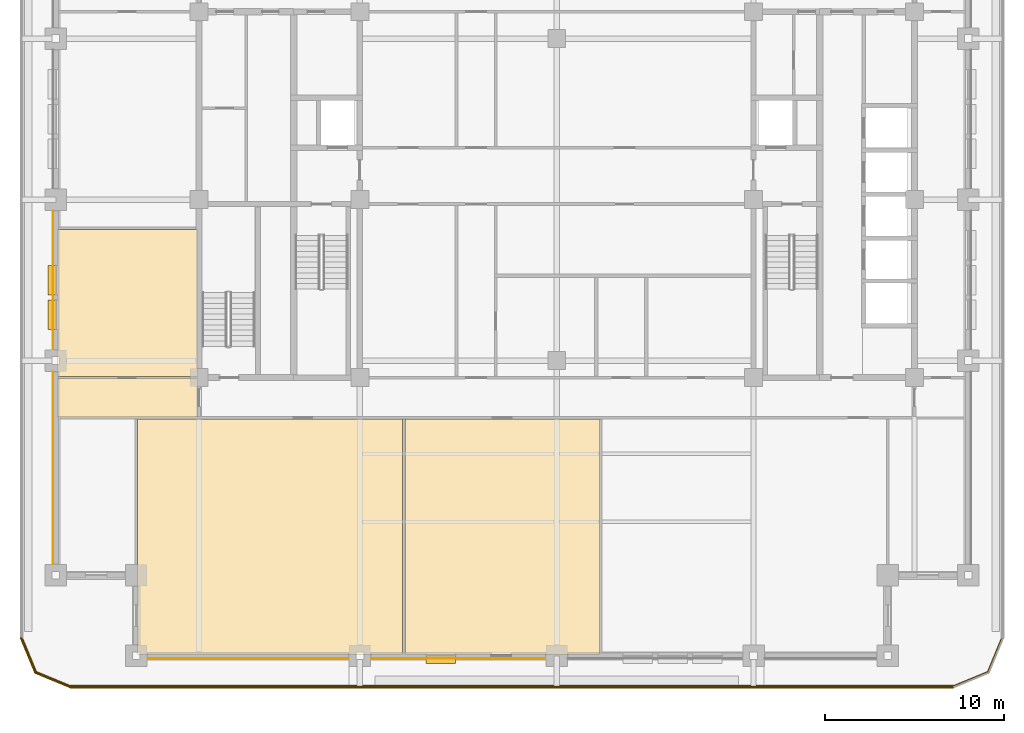
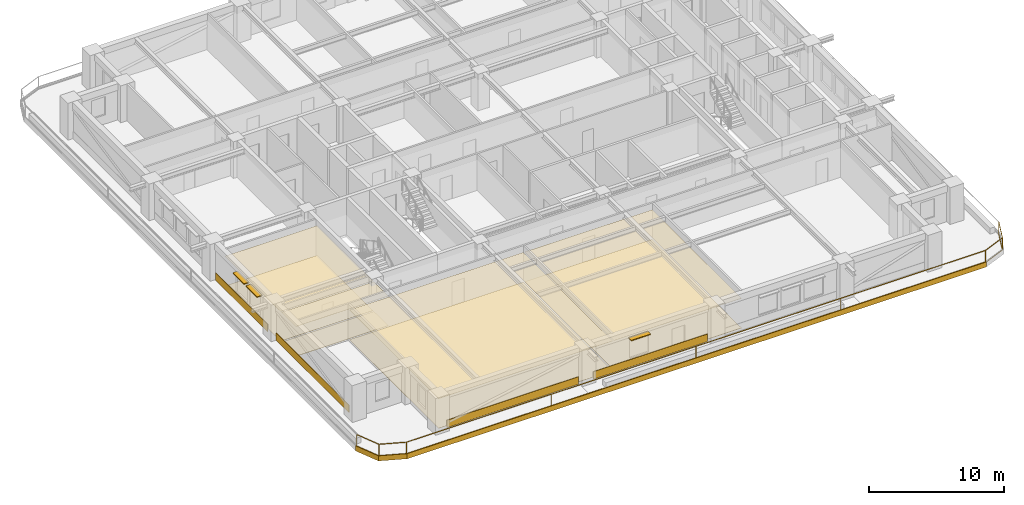
# One storey, part 8 of 15: 15 coverings, 3 shading devices, 1 railing.
"""IFC4 building model written with IfcOpenShell, lengths in metres."""

from ifc_helpers import new_model, si_unit, direction, frame, frame_2d, origin, origin_2d, place, context, subcontext, project, spatial, polyline, rectangle, outline, extrude, material, layer, layer_set, type_object, element, save


model = new_model("IFC4")

# Units and contexts
model_context = context("Model", 3, precision=1e-05, world=origin(), true_north=direction((0.0, 1.0)))
body_context = subcontext(model_context, "Body", "Model", "MODEL_VIEW")
ifc_project = project(units=[si_unit("LENGTHUNIT", "METRE"), si_unit("AREAUNIT", "SQUARE_METRE"), si_unit("VOLUMEUNIT", "CUBIC_METRE"), si_unit("PLANEANGLEUNIT", "RADIAN"), si_unit("MASSUNIT", "GRAM", prefix="KILO")], contexts=[model_context])

# Site, building, storey
site_placement = place(None, origin())
site = spatial("IfcSite", under=ifc_project, at=site_placement, CompositionType="ELEMENT")
building_placement = place(site_placement, origin())
building = spatial("IfcBuilding", under=site, at=building_placement, Name="Zulmaris Gate Convention Tower", CompositionType="ELEMENT")
storey_placement = place(building_placement, frame((0.0, 0.0, 128.48974609375)))
storey = spatial("IfcBuildingStorey", under=building, at=storey_placement, Name="L32", CompositionType="ELEMENT", Elevation=128.48974609375)

# Coverings
ifc_material_1 = material(Name="Precast concrete C40/50", Category="concrete")
ifc_layer_1 = layer(ifc_material_1, 0.0400390625, Name="Precast concrete C40/50")
ifc_layer_set_1 = layer_set([ifc_layer_1], Name="Precast concrete C40/50")
covering_type_1 = type_object("IfcCoveringType", Name="CLAD-SPANDREL-PRECAST", PredefinedType="CLADDING", material=ifc_layer_set_1)
covering_1_placement = place(storey_placement, frame((-22.8701171875, -25.64990234375, 0.0), z_axis=(0.0, 0.0, 1.0), x_axis=(1.0, 0.0, 0.0)))
element("IfcCovering", 1, at=covering_1_placement, inside=storey, type_object=covering_type_1, Name="CLD-L32-S-0_0", PredefinedType="CLADDING", context=body_context, shape_type="SweptSolid", body=[
    extrude(rectangle(XDim=11.240234375, YDim=0.0400390625, at=frame_2d((5.6201171875, 0.0))), origin(), (0.0, 0.0, 1.0), 0.679931640625),
])
covering_2_placement = place(storey_placement, frame((-10.3701171875, -25.64990234375, 0.0), z_axis=(0.0, 0.0, 1.0), x_axis=(1.0, 0.0, 0.0)))
element("IfcCovering", 2, at=covering_2_placement, inside=storey, type_object=covering_type_1, Name="CLD-L32-S-1_0", PredefinedType="CLADDING", context=body_context, shape_type="SweptSolid", body=[
    extrude(rectangle(XDim=9.740234375, YDim=0.0400390625, at=frame_2d((4.8701171875, 0.0))), origin(), (0.0, 0.0, 1.0), 0.679931640625),
])
covering_3_placement = place(storey_placement, frame((-28.14990234375, -9.6298828125, 0.0), z_axis=(0.0, 0.0, 1.0), x_axis=(0.0, -1.0, 0.0)))
element("IfcCovering", 3, at=covering_3_placement, inside=storey, type_object=covering_type_1, Name="CLD-L32-W-0_0", PredefinedType="CLADDING", context=body_context, shape_type="SweptSolid", body=[
    extrude(rectangle(XDim=10.740234375, YDim=0.0400390625, at=frame_2d((5.3701171875, 0.0))), origin(), (0.0, 0.0, 1.0), 0.679931640625),
])
covering_4_placement = place(storey_placement, frame((-28.14990234375, -0.6298828125, 0.0), z_axis=(0.0, 0.0, 1.0), x_axis=(0.0, -1.0, 0.0)))
element("IfcCovering", 4, at=covering_4_placement, inside=storey, type_object=covering_type_1, Name="CLD-L32-W-1_0", PredefinedType="CLADDING", context=body_context, shape_type="SweptSolid", body=[
    extrude(rectangle(XDim=7.740234375, YDim=0.0400390625, at=frame_2d((3.8701171875, 0.0))), origin(), (0.0, 0.0, 1.0), 0.679931640625),
])
ifc_material_2 = material(Name="White Glazed Architectural Precast Concrete C40/50", Category="concrete")
ifc_layer_2 = layer(ifc_material_2, 0.080078125, Name="White Glazed Architectural Precast Concrete C40/50")
ifc_layer_set_2 = layer_set([ifc_layer_2], Name="White Glazed Architectural Precast Concrete C40/50")
covering_type_2 = type_object("IfcCoveringType", Name="CLAD-TRAY-FASCIA", PredefinedType="CLADDING", material=ifc_layer_set_2)
covering_5_placement = place(storey_placement, frame((-29.962890625, -24.484619140625, -0.2900390625), z_axis=(0.0, 0.0, 1.0), x_axis=(0.382656984709, -0.923890487046, 0.0)))
element("IfcCovering", 5, at=covering_5_placement, inside=storey, type_object=covering_type_2, Name="FSC-L32-TR-00", PredefinedType="CLADDING", context=body_context, shape_type="SweptSolid", body=[
    extrude(rectangle(XDim=2.14306640625, YDim=0.080078125, at=frame_2d((1.071533203125, 0.0))), origin(), (0.0, 0.0, 1.0), 0.4599609375),
])
covering_6_placement = place(storey_placement, frame((-29.16455078125, -26.44287109375, -0.2900390625), z_axis=(0.0, 0.0, 1.0), x_axis=(0.923873803533, -0.382697263049, 0.0)))
element("IfcCovering", 6, at=covering_6_placement, inside=storey, type_object=covering_type_2, Name="FSC-L32-TR-01", PredefinedType="CLADDING", context=body_context, shape_type="SweptSolid", body=[
    extrude(rectangle(XDim=2.142822265625, YDim=0.080078125, at=frame_2d((1.0712890625, 0.0))), origin(), (0.0, 0.0, 1.0), 0.4599609375),
])
covering_7_placement = place(storey_placement, frame((-27.199951171875, -27.260009765625, -0.2900390625), z_axis=(0.0, 0.0, 1.0), x_axis=(1.0, 0.0, 0.0)))
element("IfcCovering", 7, at=covering_7_placement, inside=storey, type_object=covering_type_2, Name="FSC-L32-TR-02", PredefinedType="CLADDING", context=body_context, shape_type="SweptSolid", body=[
    extrude(rectangle(XDim=49.39990234375, YDim=0.080078125, at=frame_2d((24.699951171875, 0.0))), origin(), (0.0, 0.0, 1.0), 0.4599609375),
])
ifc_material_3 = material(Name="Mineral Fibre Acoustic Ceiling Tile")
ifc_layer_3 = layer(ifc_material_3, 0.02001953125, Name="Mineral Fibre Acoustic Ceiling Tile")
ifc_layer_set_3 = layer_set([ifc_layer_3], Name="Mineral Fibre Acoustic Ceiling Tile")
covering_type_3 = type_object("IfcCoveringType", Name="CLG-ACOUSTIC-600", PredefinedType="CEILING", material=ifc_layer_set_3)
covering_8_placement = place(storey_placement, frame((0.0, 0.0, 2.68017578125)))
element("IfcCovering", 8, at=covering_8_placement, inside=storey, type_object=covering_type_3, Name="CLG-L32-R38", PredefinedType="CEILING", context=body_context, shape_type="SweptSolid", body=[
    extrude(outline(polyline([(-23.43994140625, -25.43994140625), (-8.610107421875, -25.43994140625), (-8.610107421875, -12.260009765625), (-23.43994140625, -12.260009765625), (-23.43994140625, -25.43994140625)])), origin(), (0.0, 0.0, 1.0), 0.019775390625),
])
covering_9_placement = place(storey_placement, frame((0.0, 0.0, 2.68017578125)))
element("IfcCovering", 9, at=covering_9_placement, inside=storey, type_object=covering_type_3, Name="CLG-L32-R39", PredefinedType="CEILING", context=body_context, shape_type="SweptSolid", body=[
    extrude(outline(polyline([(-8.489990234375, -25.43994140625), (2.389892578125, -25.43994140625), (2.389892578125, -12.260009765625), (-8.489990234375, -12.260009765625), (-8.489990234375, -25.43994140625)])), origin(), (0.0, 0.0, 1.0), 0.019775390625),
])
covering_10_placement = place(storey_placement, frame((0.0, 0.0, 2.68017578125)))
element("IfcCovering", 10, at=covering_10_placement, inside=storey, type_object=covering_type_3, Name="CLG-L32-R49", PredefinedType="CEILING", context=body_context, shape_type="SweptSolid", body=[
    extrude(outline(polyline([(-27.93994140625, -12.139892578125), (-20.06005859375, -12.139892578125), (-20.06005859375, -10.010009765625), (-27.93994140625, -10.010009765625), (-27.93994140625, -12.139892578125)])), origin(), (0.0, 0.0, 1.0), 0.019775390625),
])
covering_11_placement = place(storey_placement, frame((0.0, 0.0, 2.68017578125)))
element("IfcCovering", 11, at=covering_11_placement, inside=storey, type_object=covering_type_3, Name="CLG-L32-R51", PredefinedType="CEILING", context=body_context, shape_type="SweptSolid", body=[
    extrude(outline(polyline([(-27.93994140625, -9.889892578125), (-20.06005859375, -9.889892578125), (-20.06005859375, -1.659912109375), (-27.93994140625, -1.659912109375), (-27.93994140625, -9.889892578125)])), origin(), (0.0, 0.0, 1.0), 0.019775390625),
])
ifc_material_4 = material(Name="Woven Acoustic Wool Carpet Tile")
ifc_layer_4 = layer(ifc_material_4, 0.02001953125, Name="Woven Acoustic Wool Carpet Tile")
ifc_layer_set_4 = layer_set([ifc_layer_4], Name="Woven Acoustic Wool Carpet Tile")
covering_type_4 = type_object("IfcCoveringType", Name="FLR-CARPET-12", PredefinedType="FLOORING", material=ifc_layer_set_4)
covering_12_placement = place(storey_placement, origin())
element("IfcCovering", 12, at=covering_12_placement, inside=storey, type_object=covering_type_4, Name="FLR-L32-R39", PredefinedType="FLOORING", context=body_context, shape_type="SweptSolid", body=[
    extrude(outline(polyline([(-8.489990234375, -25.43994140625), (2.389892578125, -25.43994140625), (2.389892578125, -12.260009765625), (-8.489990234375, -12.260009765625), (-8.489990234375, -25.43994140625)])), origin(), (0.0, 0.0, 1.0), 0.02001953125),
])
covering_13_placement = place(storey_placement, origin())
element("IfcCovering", 13, at=covering_13_placement, inside=storey, type_object=covering_type_4, Name="FLR-L32-R49", PredefinedType="FLOORING", context=body_context, shape_type="SweptSolid", body=[
    extrude(outline(polyline([(-27.93994140625, -12.139892578125), (-20.06005859375, -12.139892578125), (-20.06005859375, -10.010009765625), (-27.93994140625, -10.010009765625), (-27.93994140625, -12.139892578125)])), origin(), (0.0, 0.0, 1.0), 0.02001953125),
])
covering_14_placement = place(storey_placement, origin())
element("IfcCovering", 14, at=covering_14_placement, inside=storey, type_object=covering_type_4, Name="FLR-L32-R51", PredefinedType="FLOORING", context=body_context, shape_type="SweptSolid", body=[
    extrude(outline(polyline([(-27.93994140625, -9.889892578125), (-20.06005859375, -9.889892578125), (-20.06005859375, -1.659912109375), (-27.93994140625, -1.659912109375), (-27.93994140625, -9.889892578125)])), origin(), (0.0, 0.0, 1.0), 0.02001953125),
])
ifc_material_5 = material(Name="Engineered Teak Parquet Flooring")
ifc_layer_5 = layer(ifc_material_5, 0.02001953125, Name="Engineered Teak Parquet Flooring")
ifc_layer_set_5 = layer_set([ifc_layer_5], Name="Engineered Teak Parquet Flooring")
covering_type_5 = type_object("IfcCoveringType", Name="FLR-TIMBER-18", PredefinedType="FLOORING", material=ifc_layer_set_5)
covering_15_placement = place(storey_placement, origin())
element("IfcCovering", 15, at=covering_15_placement, inside=storey, type_object=covering_type_5, Name="FLR-L32-R38", PredefinedType="FLOORING", context=body_context, shape_type="SweptSolid", body=[
    extrude(outline(polyline([(-23.43994140625, -25.43994140625), (-8.610107421875, -25.43994140625), (-8.610107421875, -12.260009765625), (-23.43994140625, -12.260009765625), (-23.43994140625, -25.43994140625)])), origin(), (0.0, 0.0, 1.0), 0.02001953125),
])

# Railing
ifc_material_6 = material(Name="Laminated Glass and Stainless Steel", Category="steel")
railing_type = type_object("IfcRailingType", Name="RL-BALC-1150", PredefinedType="BALUSTRADE", material=ifc_material_6)
railing_placement = place(storey_placement, frame((-29.8798828125, -24.5, 0.010009765625)))
element("IfcRailing", 16, at=railing_placement, inside=storey, type_object=railing_type, Name="RL-L32-BALC-S", PredefinedType="BALUSTRADE", context=body_context, shape_type="SweptSolid", body=[
    extrude(rectangle(XDim=0.048095703125, YDim=0.048095703125, at=origin_2d()), frame((0.0, 0.0, 1.1259765625), z_axis=(0.382670664694, -0.92388482095, 0.0), x_axis=(0.92388482095, 0.382670664694, 0.0)), (0.0, 0.0, 1.0), 2.051025390625),
    extrude(rectangle(XDim=0.048095703125, YDim=0.048095703125, at=origin_2d()), frame((0.0, 0.0, 0.02392578125), z_axis=(0.382670664694, -0.92388482095, 0.0), x_axis=(0.92388482095, 0.382670664694, 0.0)), (0.0, 0.0, 1.0), 2.051025390625),
    extrude(rectangle(XDim=0.048095703125, YDim=0.048095703125, at=origin_2d()), frame((0.784912109375, -1.89501953125, 1.1259765625), z_axis=(0.92388482095, -0.382670664694, 0.0), x_axis=(0.382670664694, 0.92388482095, 0.0)), (0.0, 0.0, 1.0), 2.051025390625),
    extrude(rectangle(XDim=0.048095703125, YDim=0.048095703125, at=origin_2d()), frame((0.784912109375, -1.89501953125, 0.02392578125), z_axis=(0.92388482095, -0.382670664694, 0.0), x_axis=(0.382670664694, 0.92388482095, 0.0)), (0.0, 0.0, 1.0), 2.051025390625),
    extrude(rectangle(XDim=0.048095703125, YDim=0.048095703125, at=origin_2d()), frame((2.679931640625, -2.679931640625, 1.1259765625), z_axis=(1.0, 0.0, 0.0), x_axis=(0.0, 1.0, 0.0)), (0.0, 0.0, 1.0), 49.39990234375),
    extrude(rectangle(XDim=0.048095703125, YDim=0.048095703125, at=origin_2d()), frame((2.679931640625, -2.679931640625, 0.02392578125), z_axis=(1.0, 0.0, 0.0), x_axis=(0.0, 1.0, 0.0)), (0.0, 0.0, 1.0), 49.39990234375),
    extrude(rectangle(XDim=0.048095703125, YDim=0.048095703125, at=origin_2d()), frame((52.079833984375, -2.679931640625, 1.1259765625), z_axis=(0.92388482095, 0.382670664694, 0.0), x_axis=(-0.382670664694, 0.92388482095, 0.0)), (0.0, 0.0, 1.0), 2.051025390625),
    extrude(rectangle(XDim=0.048095703125, YDim=0.048095703125, at=origin_2d()), frame((52.079833984375, -2.679931640625, 0.02392578125), z_axis=(0.92388482095, 0.382670664694, 0.0), x_axis=(-0.382670664694, 0.92388482095, 0.0)), (0.0, 0.0, 1.0), 2.051025390625),
    extrude(rectangle(XDim=0.048095703125, YDim=0.048095703125, at=origin_2d()), frame((53.974853515625, -1.89501953125, 1.1259765625), z_axis=(0.382670664694, 0.92388482095, 0.0), x_axis=(-0.92388482095, 0.382670664694, 0.0)), (0.0, 0.0, 1.0), 2.051025390625),
    extrude(rectangle(XDim=0.048095703125, YDim=0.048095703125, at=origin_2d()), frame((53.974853515625, -1.89501953125, 0.02392578125), z_axis=(0.382670664694, 0.92388482095, 0.0), x_axis=(-0.92388482095, 0.382670664694, 0.0)), (0.0, 0.0, 1.0), 2.051025390625),
    extrude(rectangle(XDim=0.0419921875, YDim=0.0419921875, at=origin_2d()), origin(), (0.0, 0.0, 1.0), 1.101806640625),
    extrude(rectangle(XDim=0.0419921875, YDim=0.0419921875, at=origin_2d()), frame((0.784912109375, -1.89501953125, 0.0)), (0.0, 0.0, 1.0), 1.101806640625),
    extrude(rectangle(XDim=0.0419921875, YDim=0.0419921875, at=origin_2d()), frame((2.679931640625, -2.679931640625, 0.0)), (0.0, 0.0, 1.0), 1.101806640625),
    extrude(rectangle(XDim=0.0419921875, YDim=0.0419921875, at=origin_2d()), frame((15.02978515625, -2.679931640625, 0.0)), (0.0, 0.0, 1.0), 1.101806640625),
    extrude(rectangle(XDim=0.0419921875, YDim=0.0419921875, at=origin_2d()), frame((27.3798828125, -2.679931640625, 0.0)), (0.0, 0.0, 1.0), 1.101806640625),
    extrude(rectangle(XDim=0.0419921875, YDim=0.0419921875, at=origin_2d()), frame((39.72998046875, -2.679931640625, 0.0)), (0.0, 0.0, 1.0), 1.101806640625),
    extrude(rectangle(XDim=0.0419921875, YDim=0.0419921875, at=origin_2d()), frame((52.079833984375, -2.679931640625, 0.0)), (0.0, 0.0, 1.0), 1.101806640625),
    extrude(rectangle(XDim=0.0419921875, YDim=0.0419921875, at=origin_2d()), frame((53.974853515625, -1.89501953125, 0.0)), (0.0, 0.0, 1.0), 1.101806640625),
    extrude(rectangle(XDim=0.0419921875, YDim=0.0419921875, at=origin_2d()), frame((54.759765625, 0.0, 0.0)), (0.0, 0.0, 1.0), 1.101806640625),
])

# Shading devices
ifc_material_7 = material(Name="Glazed Ceramic Terracotta", Category="masonry")
ifc_layer_6 = layer(ifc_material_7, 0.070068359375, Name="Glazed Ceramic Terracotta")
ifc_layer_set_6 = layer_set([ifc_layer_6], Name="Glazed Ceramic Terracotta")
shading_device_type = type_object("IfcShadingDeviceType", Name="SHD-SUNSHADE-TC", PredefinedType="AWNING", material=ifc_layer_set_6)
shading_device_placement = place(storey_placement, frame((-7.299072265625, -25.719970703125, 2.530029296875), z_axis=(0.0, 0.0, 1.0), x_axis=(1.0, 0.0, 0.0)))
element("IfcShadingDevice", 17, at=shading_device_placement, inside=storey, type_object=shading_device_type, Name="SHD-EW-L32-S-1_0-2", PredefinedType="AWNING", context=body_context, shape_type="SweptSolid", body=[
    extrude(rectangle(XDim=1.650146484375, YDim=0.43994140625, at=frame_2d((0.8251953125, 0.0))), origin(), (0.0, 0.0, 1.0), 0.06982421875),
])
for number, where, z_axis, x_axis, name in (
    (18, (-28.219970703125, -3.675048828125, 2.530029296875), (0.0, 0.0, 1.0), (0.0, -1.0, 0.0), "SHD-EW-L32-W-1_0-2"),
    (19, (-28.219970703125, -5.610107421875, 2.530029296875), (0.0, 0.0, 1.0), (0.0, -1.0, 0.0), "SHD-EW-L32-W-1_0-3"),
):
    element("IfcShadingDevice", number, at=place(storey_placement, frame(where, z_axis=z_axis, x_axis=x_axis)), inside=storey, type_object=shading_device_type, Name=name, PredefinedType="AWNING", context=body_context, shape_type="SweptSolid", body=[
        extrude(rectangle(XDim=1.64990234375, YDim=0.43994140625, at=frame_2d((0.824951171875, 0.0))), origin(), (0.0, 0.0, 1.0), 0.06982421875),
    ])

save(model, "model.ifc")
